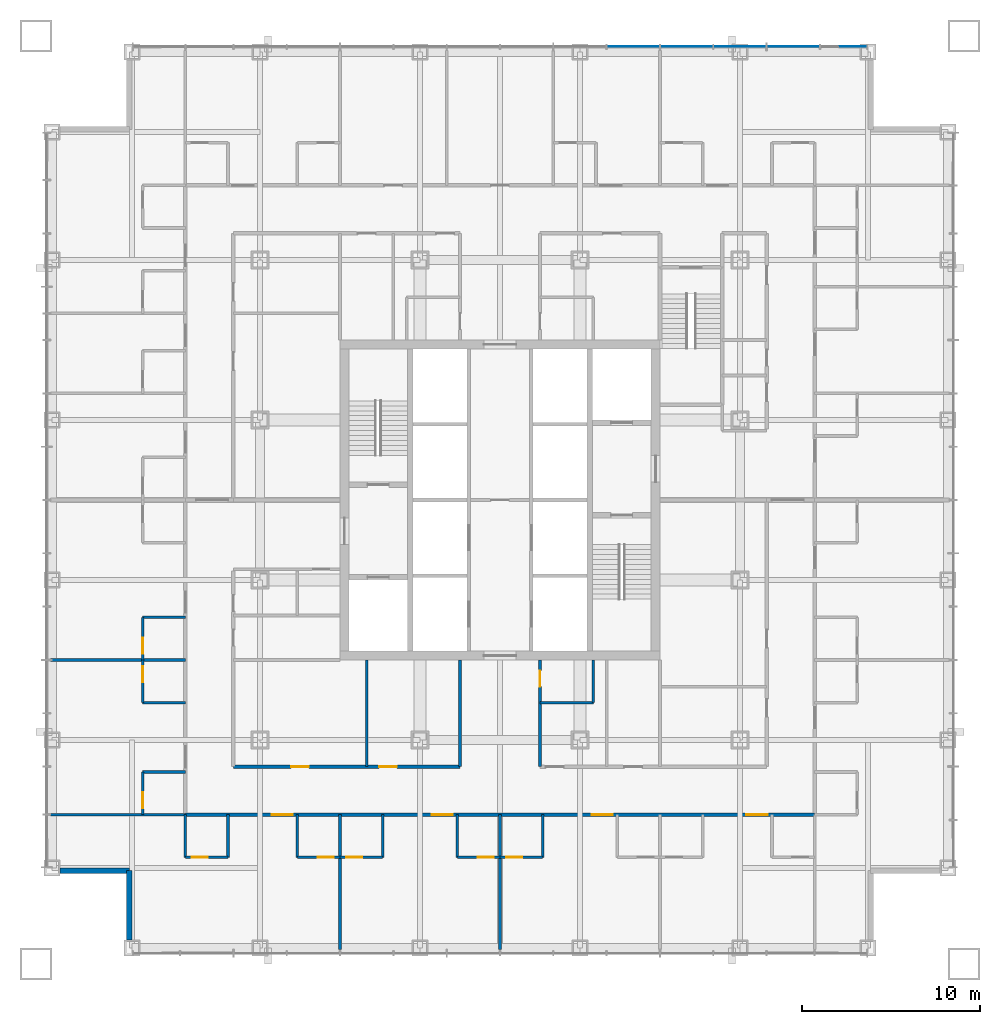
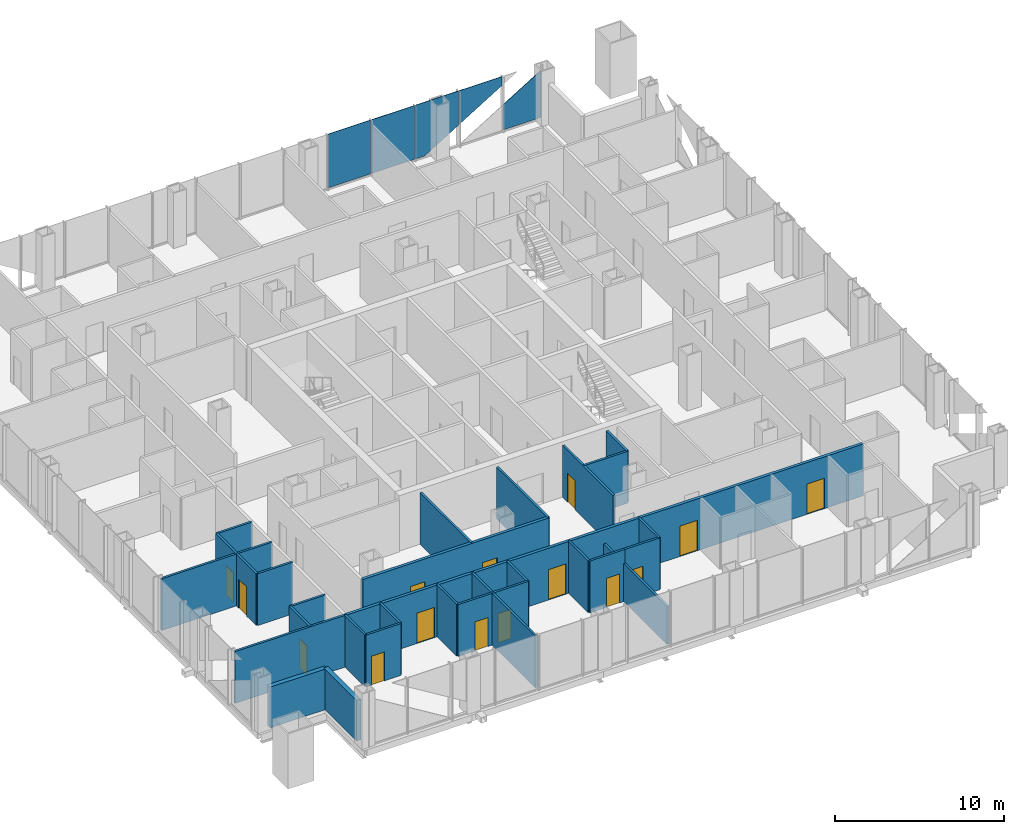
# One storey, part 7 of 13: 30 walls, 15 doors, 5 plates, 15 openings, 1 element without a shape of its own.
"""IFC4 building model written with IfcOpenShell, lengths in metres."""

from ifc_helpers import new_model, si_unit, direction, frame, frame_2d, origin, origin_2d, place, context, subcontext, project, spatial, polyline, rectangle, outline, extrude, material, layer, layer_set, type_object, element, fill, aggregate, save


model = new_model("IFC4")

# Units and contexts
model_context = context("Model", 3, precision=1e-05, world=origin(), true_north=direction((0.0, 1.0)))
body_context = subcontext(model_context, "Body", "Model", "MODEL_VIEW")
ifc_project = project(units=[si_unit("LENGTHUNIT", "METRE"), si_unit("AREAUNIT", "SQUARE_METRE"), si_unit("VOLUMEUNIT", "CUBIC_METRE"), si_unit("PLANEANGLEUNIT", "RADIAN"), si_unit("MASSUNIT", "GRAM", prefix="KILO")], contexts=[model_context])

# Site, building, storey
site_placement = place(None, origin())
site = spatial("IfcSite", under=ifc_project, at=site_placement, CompositionType="ELEMENT")
building_placement = place(site_placement, origin())
building = spatial("IfcBuilding", under=site, at=building_placement, Name="Malebo Sky Hospital", CompositionType="ELEMENT")
storey_placement = place(building_placement, frame((0.0, 0.0, 87.0)))
storey = spatial("IfcBuildingStorey", under=building, at=storey_placement, Name="L20", CompositionType="ELEMENT", Elevation=87.0)

# Curtain wall, plates
ifc_material_1 = material(Name="Anodised aluminium, natural silver", Category="aluminium")
ifc_layer_1 = layer(ifc_material_1, 0.25)
ifc_layer_set_1 = layer_set([ifc_layer_1], Name="WARD CURTAIN WALL NORTH AND SOUTH")
curtain_wall_type = type_object("IfcCurtainWallType", Name="WARD CURTAIN WALL NORTH AND SOUTH", PredefinedType="NOTDEFINED", material=ifc_layer_set_1)
curtain_wall_placement = place(storey_placement, origin())
curtain_wall = element("IfcCurtainWall", 1, at=curtain_wall_placement, inside=storey, type_object=curtain_wall_type, Name="NS curtain wall N", PredefinedType="NOTDEFINED")
ifc_material_2 = material(Name="Clear low-iron double glazing", Category="glass")
ifc_layer_2 = layer(ifc_material_2, 0.031982421875)
ifc_layer_set_2 = layer_set([ifc_layer_2], Name="VISION PANEL CLEAR 32")
plate_type = type_object("IfcPlateType", Name="VISION PANEL CLEAR 32", PredefinedType="CURTAIN_PANEL", material=ifc_layer_set_2)
plate_1_placement = place(storey_placement, frame((67.5, 87.5, 0.10009765625), z_axis=(0.0, 0.0, 1.0), x_axis=(1.0, 0.0, 0.0)))
plate_1 = element("IfcPlate", 2, at=plate_1_placement, type_object=plate_type, Name="Panel 10", PredefinedType="CURTAIN_PANEL", context=body_context, shape_type="SweptSolid", body=[
    extrude(rectangle(XDim=2.925048828125, YDim=0.031982421875, at=origin_2d()), origin(), (0.0, 0.0, 1.0), 3.889892578125),
])
plate_2_placement = place(storey_placement, frame((70.5, 87.5, 0.10009765625), z_axis=(0.0, 0.0, 1.0), x_axis=(1.0, 0.0, 0.0)))
plate_2 = element("IfcPlate", 3, at=plate_2_placement, type_object=plate_type, Name="Panel 11", PredefinedType="CURTAIN_PANEL", context=body_context, shape_type="SweptSolid", body=[
    extrude(rectangle(XDim=2.925048828125, YDim=0.031982421875, at=origin_2d()), origin(), (0.0, 0.0, 1.0), 3.889892578125),
])
plate_3_placement = place(storey_placement, frame((73.5, 87.5, 0.10009765625), z_axis=(0.0, 0.0, 1.0), x_axis=(1.0, 0.0, 0.0)))
plate_3 = element("IfcPlate", 4, at=plate_3_placement, type_object=plate_type, Name="Panel 12", PredefinedType="CURTAIN_PANEL", context=body_context, shape_type="SweptSolid", body=[
    extrude(outline(polyline([(-1.46240234375, 0.0), (-0.831298828125, 0.0), (1.46240234375, 1.40625), (1.46240234375, 3.889892578125), (-1.46240234375, 3.889892578125), (-1.46240234375, 0.0)])), frame((0.0, 0.01611328125, 0.0), z_axis=(0.0, -1.0, 0.0), x_axis=(1.0, 0.0, 0.0)), (0.0, 0.0, 1.0), 0.031982421875),
])
plate_4_placement = place(storey_placement, frame((76.5, 87.5, 1.552001953125), z_axis=(0.0, 0.0, 1.0), x_axis=(1.0, 0.0, 0.0)))
plate_4 = element("IfcPlate", 5, at=plate_4_placement, type_object=plate_type, Name="Panel 13", PredefinedType="CURTAIN_PANEL", context=body_context, shape_type="SweptSolid", body=[
    extrude(outline(polyline([(-1.46240234375, 0.0), (1.46240234375, 1.793212890625), (1.46240234375, 2.43798828125), (-1.46240234375, 2.43798828125), (-1.46240234375, 0.0)])), frame((0.0, 0.01611328125, 0.0), z_axis=(0.0, -1.0, 0.0), x_axis=(1.0, 0.0, 0.0)), (0.0, 0.0, 1.0), 0.031982421875),
])
plate_5_placement = place(storey_placement, frame((79.331298828125, 87.5, 0.099853515625), z_axis=(0.0, 0.0, 1.0), x_axis=(1.0, 0.0, 0.0)))
plate_5 = element("IfcPlate", 6, at=plate_5_placement, type_object=plate_type, Name="Panel 14", PredefinedType="CURTAIN_PANEL", context=body_context, shape_type="SweptSolid", body=[
    extrude(outline(polyline([(-1.293701171875, 0.0), (1.293701171875, 0.0), (1.293701171875, 3.41015625), (-1.293701171875, 1.823974609375), (-1.293701171875, 0.0)])), frame((0.0, 0.01611328125, 0.0), z_axis=(0.0, -1.0, 0.0), x_axis=(1.0, 0.0, 0.0)), (0.0, 0.0, 1.0), 0.031982421875),
])
aggregate(curtain_wall, [plate_1, plate_2, plate_3, plate_4, plate_5])

# Wall, openings, doors
ifc_material_3 = material(Name="Gypsum board on steel studs", Category="steel")
ifc_layer_3 = layer(ifc_material_3, 0.199951171875)
ifc_layer_set_3 = layer_set([ifc_layer_3], Name="CORRIDOR WALL 200")
wall_type_1 = type_object("IfcWallType", Name="CORRIDOR WALL 200", PredefinedType="PARTITIONING", material=ifc_layer_set_3)
wall_1_placement = place(storey_placement, frame((77.699951171875, 44.300048828125, 0.0), z_axis=(0.0, 0.0, 1.0), x_axis=(-1.0, 0.0, 0.0)))
wall_1 = element("IfcWall", 7, at=wall_1_placement, inside=storey, type_object=wall_type_1, Name="Corridor Wall 200 SCO", PredefinedType="PARTITIONING", context=body_context, shape_type="SweptSolid", body=[
    extrude(rectangle(XDim=35.39990234375, YDim=0.199951171875, at=frame_2d((17.699951171875, 0.0))), origin(), (0.0, 0.0, 1.0), 3.75),
])
opening_1_placement = place(wall_1_placement, frame((2.64990234375, 0.0, 0.0)))
opening_1 = element("IfcOpeningElement", 8, at=opening_1_placement, cuts=wall_1, Name="Opening D01", PredefinedType="OPENING", context=body_context, shape_type="SweptSolid", body=[
    extrude(rectangle(XDim=1.199951171875, YDim=2.199951171875, at=frame_2d((0.60009765625, 1.10009765625))), frame((0.0, 0.10986328125, 0.0), z_axis=(0.0, -1.0, 0.0), x_axis=(1.0, 0.0, 0.0)), (0.0, 0.0, 1.0), 0.219970703125),
])
opening_2_placement = place(wall_1_placement, frame((11.35009765625, 0.0, 0.0)))
opening_2 = element("IfcOpeningElement", 9, at=opening_2_placement, cuts=wall_1, Name="Opening D01", PredefinedType="OPENING", context=body_context, shape_type="SweptSolid", body=[
    extrude(rectangle(XDim=1.199951171875, YDim=2.199951171875, at=frame_2d((0.60009765625, 1.10009765625))), frame((0.0, 0.10986328125, 0.0), z_axis=(0.0, -1.0, 0.0), x_axis=(1.0, 0.0, 0.0)), (0.0, 0.0, 1.0), 0.219970703125),
])
opening_3_placement = place(wall_1_placement, frame((20.35009765625, 0.0, 0.0)))
opening_3 = element("IfcOpeningElement", 10, at=opening_3_placement, cuts=wall_1, Name="Opening D01", PredefinedType="OPENING", context=body_context, shape_type="SweptSolid", body=[
    extrude(rectangle(XDim=1.199951171875, YDim=2.199951171875, at=frame_2d((0.60009765625, 1.10009765625))), frame((0.0, 0.10986328125, 0.0), z_axis=(0.0, -1.0, 0.0), x_axis=(1.0, 0.0, 0.0)), (0.0, 0.0, 1.0), 0.219970703125),
])
opening_4_placement = place(wall_1_placement, frame((29.35009765625, 0.0, 0.0)))
opening_4 = element("IfcOpeningElement", 11, at=opening_4_placement, cuts=wall_1, Name="Opening D01", PredefinedType="OPENING", context=body_context, shape_type="SweptSolid", body=[
    extrude(rectangle(XDim=1.199951171875, YDim=2.199951171875, at=frame_2d((0.60009765625, 1.10009765625))), frame((0.0, 0.10986328125, 0.0), z_axis=(0.0, -1.0, 0.0), x_axis=(1.0, 0.0, 0.0)), (0.0, 0.0, 1.0), 0.219970703125),
])
ifc_material_4 = material(Name="Hardwood-faced door leaf in steel frame", Category="steel")
door_type_1 = type_object("IfcDoorType", Name="BED DOOR 1200", OperationType="SINGLE_SWING_LEFT", PredefinedType="DOOR", material=ifc_material_4)
door_1_placement = place(opening_1_placement, origin())
door_1 = element("IfcDoor", 12, at=door_1_placement, inside=storey, type_object=door_type_1, Name="Four-bed bay door", OperationType="SINGLE_SWING_LEFT", OverallHeight=2.199951171875, OverallWidth=1.199951171875, PredefinedType="DOOR", context=body_context, shape_type="SweptSolid", body=[
    extrude(rectangle(XDim=1.199951171875, YDim=2.199951171875, at=frame_2d((0.60009765625, 1.10009765625))), frame((0.0, 0.02490234375, 0.0), z_axis=(0.0, -1.0, 0.0), x_axis=(1.0, 0.0, 0.0)), (0.0, 0.0, 1.0), 0.050048828125),
])
fill(opening_1, door_1)
door_2_placement = place(opening_2_placement, origin())
door_2 = element("IfcDoor", 13, at=door_2_placement, inside=storey, type_object=door_type_1, Name="Four-bed bay door", OperationType="SINGLE_SWING_LEFT", OverallHeight=2.199951171875, OverallWidth=1.199951171875, PredefinedType="DOOR", context=body_context, shape_type="SweptSolid", body=[
    extrude(rectangle(XDim=1.199951171875, YDim=2.199951171875, at=frame_2d((0.60009765625, 1.10009765625))), frame((0.0, 0.02490234375, 0.0), z_axis=(0.0, -1.0, 0.0), x_axis=(1.0, 0.0, 0.0)), (0.0, 0.0, 1.0), 0.050048828125),
])
fill(opening_2, door_2)
door_3_placement = place(opening_3_placement, origin())
door_3 = element("IfcDoor", 14, at=door_3_placement, inside=storey, type_object=door_type_1, Name="Four-bed bay door", OperationType="SINGLE_SWING_LEFT", OverallHeight=2.199951171875, OverallWidth=1.199951171875, PredefinedType="DOOR", context=body_context, shape_type="SweptSolid", body=[
    extrude(rectangle(XDim=1.199951171875, YDim=2.199951171875, at=frame_2d((0.60009765625, 1.10009765625))), frame((0.0, 0.02490234375, 0.0), z_axis=(0.0, -1.0, 0.0), x_axis=(1.0, 0.0, 0.0)), (0.0, 0.0, 1.0), 0.050048828125),
])
fill(opening_3, door_3)
door_4_placement = place(opening_4_placement, origin())
door_4 = element("IfcDoor", 15, at=door_4_placement, inside=storey, type_object=door_type_1, Name="Four-bed bay door", OperationType="SINGLE_SWING_LEFT", OverallHeight=2.199951171875, OverallWidth=1.199951171875, PredefinedType="DOOR", context=body_context, shape_type="SweptSolid", body=[
    extrude(rectangle(XDim=1.199951171875, YDim=2.199951171875, at=frame_2d((0.60009765625, 1.10009765625))), frame((0.0, 0.02490234375, 0.0), z_axis=(0.0, -1.0, 0.0), x_axis=(1.0, 0.0, 0.0)), (0.0, 0.0, 1.0), 0.050048828125),
])
fill(opening_4, door_4)

wall_2_placement = place(storey_placement, frame((57.75, 47.0, 0.0), z_axis=(0.0, 0.0, 1.0), x_axis=(-1.0, 0.0, 0.0)))
wall_2 = element("IfcWall", 16, at=wall_2_placement, inside=storey, type_object=wall_type_1, Name="Corridor Wall 200 SCI2", PredefinedType="PARTITIONING", context=body_context, shape_type="SweptSolid", body=[
    extrude(rectangle(XDim=12.75, YDim=0.199951171875, at=frame_2d((6.375, 0.0))), origin(), (0.0, 0.0, 1.0), 3.75),
])
opening_5_placement = place(wall_2_placement, frame((3.550048828125, 0.0, 0.0)))
opening_5 = element("IfcOpeningElement", 17, at=opening_5_placement, cuts=wall_2, Name="Opening D03", PredefinedType="OPENING", context=body_context, shape_type="SweptSolid", body=[
    extrude(rectangle(XDim=1.0, YDim=2.10009765625, at=frame_2d((0.5, 1.050048828125))), frame((0.0, 0.10986328125, 0.0), z_axis=(0.0, -1.0, 0.0), x_axis=(1.0, 0.0, 0.0)), (0.0, 0.0, 1.0), 0.219970703125),
])
opening_6_placement = place(wall_2_placement, frame((8.5, 0.0, 0.0)))
opening_6 = element("IfcOpeningElement", 18, at=opening_6_placement, cuts=wall_2, Name="Opening D03", PredefinedType="OPENING", context=body_context, shape_type="SweptSolid", body=[
    extrude(rectangle(XDim=1.0, YDim=2.10009765625, at=frame_2d((0.5, 1.050048828125))), frame((0.0, 0.10986328125, 0.0), z_axis=(0.0, -1.0, 0.0), x_axis=(1.0, 0.0, 0.0)), (0.0, 0.0, 1.0), 0.219970703125),
])
door_type_2 = type_object("IfcDoorType", Name="ROOM DOOR 1000", OperationType="SINGLE_SWING_LEFT", PredefinedType="DOOR", material=ifc_material_4)
door_5_placement = place(opening_5_placement, origin())
door_5 = element("IfcDoor", 19, at=door_5_placement, inside=storey, type_object=door_type_2, Name="Hoist store door", OperationType="SINGLE_SWING_RIGHT", OverallHeight=2.10009765625, OverallWidth=1.0, PredefinedType="DOOR", context=body_context, shape_type="SweptSolid", body=[
    extrude(rectangle(XDim=1.0, YDim=2.10009765625, at=frame_2d((0.5, 1.050048828125))), frame((0.0, 0.02490234375, 0.0), z_axis=(0.0, -1.0, 0.0), x_axis=(1.0, 0.0, 0.0)), (0.0, 0.0, 1.0), 0.050048828125),
])
fill(opening_5, door_5)
door_6_placement = place(opening_6_placement, origin())
door_6 = element("IfcDoor", 20, at=door_6_placement, inside=storey, type_object=door_type_2, Name="Relatives' kitchen door", OperationType="SINGLE_SWING_RIGHT", OverallHeight=2.10009765625, OverallWidth=1.0, PredefinedType="DOOR", context=body_context, shape_type="SweptSolid", body=[
    extrude(rectangle(XDim=1.0, YDim=2.10009765625, at=frame_2d((0.5, 1.050048828125))), frame((0.0, 0.02490234375, 0.0), z_axis=(0.0, -1.0, 0.0), x_axis=(1.0, 0.0, 0.0)), (0.0, 0.0, 1.0), 0.050048828125),
])
fill(opening_6, door_6)

# Walls
ifc_material_5 = material(Name="Anodised aluminium rainscreen on steel framing", Category="steel")
ifc_layer_4 = layer(ifc_material_5, 0.300048828125)
ifc_layer_set_4 = layer_set([ifc_layer_4], Name="NOTCH RAINSCREEN WALL 300")
wall_type_2 = type_object("IfcWallType", Name="NOTCH RAINSCREEN WALL 300", PredefinedType="ELEMENTEDWALL", material=ifc_layer_set_4)
for number, where, z_axis, x_axis, name in (
    (21, (39.14990234375, 37.25, 0.0), (0.0, 0.0, 1.0), (0.0, 1.0, 0.0), "Notch rainscreen wall S1 L20"),
    (22, (39.14990234375, 41.14990234375, 0.0), (0.0, 0.0, 1.0), (-1.0, 0.0, 0.0), "Notch rainscreen wall S2 L20"),
):
    element("IfcWall", number, at=place(storey_placement, frame(where, z_axis=z_axis, x_axis=x_axis)), inside=storey, type_object=wall_type_2, Name=name, PredefinedType="ELEMENTEDWALL", context=body_context, shape_type="SweptSolid", body=[
        extrude(rectangle(XDim=3.89990234375, YDim=0.300048828125, at=frame_2d((1.949951171875, 0.0))), origin(), (0.0, 0.0, 1.0), 2.949951171875),
    ])
ifc_layer_5 = layer(ifc_material_3, 0.14990234375)
ifc_layer_set_5 = layer_set([ifc_layer_5], Name="PARTITION 150")
wall_type_3 = type_object("IfcWallType", Name="PARTITION 150", PredefinedType="PARTITIONING", material=ifc_layer_set_5)
for number, where, z_axis, x_axis, name in (
    (23, (42.300048828125, 53.0, 0.0), (0.0, 0.0, 1.0), (-1.0, 0.0, 0.0), "Partition 150 WP-9.0"),
    (24, (42.300048828125, 44.300048828125, 0.0), (0.0, 0.0, 1.0), (-1.0, 0.0, 0.0), "Partition 150 WP0"),
):
    element("IfcWall", number, at=place(storey_placement, frame(where, z_axis=z_axis, x_axis=x_axis)), inside=storey, type_object=wall_type_3, Name=name, PredefinedType="PARTITIONING", context=body_context, shape_type="SweptSolid", body=[
        extrude(rectangle(XDim=7.574951171875, YDim=0.14990234375, at=frame_2d((3.78759765625, 0.0))), origin(), (0.0, 0.0, 1.0), 3.75),
    ])

# Wall, opening, door
wall_3_placement = place(storey_placement, frame((39.89990234375, 44.300048828125, 0.0), z_axis=(0.0, 0.0, 1.0), x_axis=(0.0, 1.0, 0.0)))
wall_3 = element("IfcWall", 25, at=wall_3_placement, inside=storey, type_object=wall_type_3, Name="Partition 150 WE0F", PredefinedType="PARTITIONING", context=body_context, shape_type="SweptSolid", body=[
    extrude(rectangle(XDim=2.39990234375, YDim=0.14990234375, at=frame_2d((1.199951171875, 0.0))), origin(), (0.0, 0.0, 1.0), 3.75),
])
opening_7_placement = place(wall_3_placement, frame((0.35009765625, 0.0, 0.0)))
opening_7 = element("IfcOpeningElement", 26, at=opening_7_placement, cuts=wall_3, Name="Opening D02", PredefinedType="OPENING", context=body_context, shape_type="SweptSolid", body=[
    extrude(rectangle(XDim=0.89990234375, YDim=2.10009765625, at=frame_2d((0.449951171875, 1.050048828125))), frame((0.0, 0.0849609375, 0.0), z_axis=(0.0, -1.0, 0.0), x_axis=(1.0, 0.0, 0.0)), (0.0, 0.0, 1.0), 0.169921875),
])
door_type_3 = type_object("IfcDoorType", Name="EN-SUITE DOOR 900", OperationType="SINGLE_SWING_LEFT", PredefinedType="DOOR", material=ifc_material_4)
door_7_placement = place(opening_7_placement, origin())
door_7 = element("IfcDoor", 27, at=door_7_placement, inside=storey, type_object=door_type_3, Name="En-suite door", OperationType="SINGLE_SWING_LEFT", OverallHeight=2.10009765625, OverallWidth=0.89990234375, PredefinedType="DOOR", context=body_context, shape_type="SweptSolid", body=[
    extrude(rectangle(XDim=0.89990234375, YDim=2.10009765625, at=frame_2d((0.449951171875, 1.050048828125))), frame((0.0, 0.02490234375, 0.0), z_axis=(0.0, -1.0, 0.0), x_axis=(1.0, 0.0, 0.0)), (0.0, 0.0, 1.0), 0.050048828125),
])
fill(opening_7, door_7)

# Wall
wall_4_placement = place(storey_placement, frame((42.300048828125, 46.699951171875, 0.0), z_axis=(0.0, 0.0, 1.0), x_axis=(-1.0, 0.0, 0.0)))
element("IfcWall", 28, at=wall_4_placement, inside=storey, type_object=wall_type_3, Name="Partition 150 WE0S", PredefinedType="PARTITIONING", context=body_context, shape_type="SweptSolid", body=[
    extrude(rectangle(XDim=2.400146484375, YDim=0.14990234375, at=frame_2d((1.2001953125, 0.0))), origin(), (0.0, 0.0, 1.0), 3.75),
])

# Wall, opening, door
wall_5_placement = place(storey_placement, frame((39.89990234375, 50.60009765625, 0.0), z_axis=(0.0, 0.0, 1.0), x_axis=(0.0, 1.0, 0.0)))
wall_5 = element("IfcWall", 29, at=wall_5_placement, inside=storey, type_object=wall_type_3, Name="Partition 150 WG0F", PredefinedType="PARTITIONING", context=body_context, shape_type="SweptSolid", body=[
    extrude(rectangle(XDim=2.39990234375, YDim=0.14990234375, at=frame_2d((1.199951171875, 0.0))), origin(), (0.0, 0.0, 1.0), 3.75),
])
opening_8_placement = place(wall_5_placement, frame((1.14990234375, 0.0, 0.0)))
opening_8 = element("IfcOpeningElement", 30, at=opening_8_placement, cuts=wall_5, Name="Opening D02", PredefinedType="OPENING", context=body_context, shape_type="SweptSolid", body=[
    extrude(rectangle(XDim=0.89990234375, YDim=2.10009765625, at=frame_2d((0.449951171875, 1.050048828125))), frame((0.0, 0.0849609375, 0.0), z_axis=(0.0, -1.0, 0.0), x_axis=(1.0, 0.0, 0.0)), (0.0, 0.0, 1.0), 0.169921875),
])
door_8_placement = place(opening_8_placement, origin())
door_8 = element("IfcDoor", 31, at=door_8_placement, inside=storey, type_object=door_type_3, Name="En-suite door", OperationType="SINGLE_SWING_RIGHT", OverallHeight=2.10009765625, OverallWidth=0.89990234375, PredefinedType="DOOR", context=body_context, shape_type="SweptSolid", body=[
    extrude(rectangle(XDim=0.89990234375, YDim=2.10009765625, at=frame_2d((0.449951171875, 1.050048828125))), frame((0.0, 0.02490234375, 0.0), z_axis=(0.0, -1.0, 0.0), x_axis=(1.0, 0.0, 0.0)), (0.0, 0.0, 1.0), 0.050048828125),
])
fill(opening_8, door_8)

# Wall
wall_6_placement = place(storey_placement, frame((42.300048828125, 50.60009765625, 0.0), z_axis=(0.0, 0.0, 1.0), x_axis=(-1.0, 0.0, 0.0)))
element("IfcWall", 32, at=wall_6_placement, inside=storey, type_object=wall_type_3, Name="Partition 150 WG0S", PredefinedType="PARTITIONING", context=body_context, shape_type="SweptSolid", body=[
    extrude(rectangle(XDim=2.400146484375, YDim=0.14990234375, at=frame_2d((1.2001953125, 0.0))), origin(), (0.0, 0.0, 1.0), 3.75),
])

# Wall, opening, door
wall_7_placement = place(storey_placement, frame((39.89990234375, 53.0, 0.0), z_axis=(0.0, 0.0, 1.0), x_axis=(0.0, 1.0, 0.0)))
wall_7 = element("IfcWall", 33, at=wall_7_placement, inside=storey, type_object=wall_type_3, Name="Partition 150 WE1F", PredefinedType="PARTITIONING", context=body_context, shape_type="SweptSolid", body=[
    extrude(rectangle(XDim=2.39990234375, YDim=0.14990234375, at=frame_2d((1.199951171875, 0.0))), origin(), (0.0, 0.0, 1.0), 3.75),
])
opening_9_placement = place(wall_7_placement, frame((0.35009765625, 0.0, 0.0)))
opening_9 = element("IfcOpeningElement", 34, at=opening_9_placement, cuts=wall_7, Name="Opening D02", PredefinedType="OPENING", context=body_context, shape_type="SweptSolid", body=[
    extrude(rectangle(XDim=0.89990234375, YDim=2.10009765625, at=frame_2d((0.449951171875, 1.050048828125))), frame((0.0, 0.0849609375, 0.0), z_axis=(0.0, -1.0, 0.0), x_axis=(1.0, 0.0, 0.0)), (0.0, 0.0, 1.0), 0.169921875),
])
door_9_placement = place(opening_9_placement, origin())
door_9 = element("IfcDoor", 35, at=door_9_placement, inside=storey, type_object=door_type_3, Name="En-suite door", OperationType="SINGLE_SWING_LEFT", OverallHeight=2.10009765625, OverallWidth=0.89990234375, PredefinedType="DOOR", context=body_context, shape_type="SweptSolid", body=[
    extrude(rectangle(XDim=0.89990234375, YDim=2.10009765625, at=frame_2d((0.449951171875, 1.050048828125))), frame((0.0, 0.02490234375, 0.0), z_axis=(0.0, -1.0, 0.0), x_axis=(1.0, 0.0, 0.0)), (0.0, 0.0, 1.0), 0.050048828125),
])
fill(opening_9, door_9)

# Walls
wall_8_placement = place(storey_placement, frame((42.300048828125, 55.39990234375, 0.0), z_axis=(0.0, 0.0, 1.0), x_axis=(-1.0, 0.0, 0.0)))
element("IfcWall", 36, at=wall_8_placement, inside=storey, type_object=wall_type_3, Name="Partition 150 WE1S", PredefinedType="PARTITIONING", context=body_context, shape_type="SweptSolid", body=[
    extrude(rectangle(XDim=2.400146484375, YDim=0.14990234375, at=frame_2d((1.2001953125, 0.0))), origin(), (0.0, 0.0, 1.0), 3.75),
])
wall_9_placement = place(storey_placement, frame((60.0, 44.300048828125, 0.0), z_axis=(0.0, 0.0, 1.0), x_axis=(0.0, -1.0, 0.0)))
element("IfcWall", 37, at=wall_9_placement, inside=storey, type_object=wall_type_3, Name="Partition 150 SP+0.0", PredefinedType="PARTITIONING", context=body_context, shape_type="SweptSolid", body=[
    extrude(rectangle(XDim=7.574951171875, YDim=0.14990234375, at=frame_2d((3.78759765625, 0.0))), origin(), (0.0, 0.0, 1.0), 2.75),
])
wall_10_placement = place(storey_placement, frame((51.0, 44.300048828125, 0.0), z_axis=(0.0, 0.0, 1.0), x_axis=(0.0, -1.0, 0.0)))
element("IfcWall", 38, at=wall_10_placement, inside=storey, type_object=wall_type_3, Name="Partition 150 SP+9.0", PredefinedType="PARTITIONING", context=body_context, shape_type="SweptSolid", body=[
    extrude(rectangle(XDim=7.574951171875, YDim=0.14990234375, at=frame_2d((3.78759765625, 0.0))), origin(), (0.0, 0.0, 1.0), 3.75),
])

# Wall, opening, door
wall_11_placement = place(storey_placement, frame((62.39990234375, 41.89990234375, 0.0), z_axis=(0.0, 0.0, 1.0), x_axis=(-1.0, 0.0, 0.0)))
wall_11 = element("IfcWall", 39, at=wall_11_placement, inside=storey, type_object=wall_type_3, Name="Partition 150 SG1F", PredefinedType="PARTITIONING", context=body_context, shape_type="SweptSolid", body=[
    extrude(rectangle(XDim=2.39990234375, YDim=0.14990234375, at=frame_2d((1.199951171875, 0.0))), origin(), (0.0, 0.0, 1.0), 3.75),
])
opening_10_placement = place(wall_11_placement, frame((1.14990234375, 0.0, 0.0)))
opening_10 = element("IfcOpeningElement", 40, at=opening_10_placement, cuts=wall_11, Name="Opening D02", PredefinedType="OPENING", context=body_context, shape_type="SweptSolid", body=[
    extrude(rectangle(XDim=0.89990234375, YDim=2.10009765625, at=frame_2d((0.449951171875, 1.050048828125))), frame((0.0, 0.0849609375, 0.0), z_axis=(0.0, -1.0, 0.0), x_axis=(1.0, 0.0, 0.0)), (0.0, 0.0, 1.0), 0.169921875),
])
door_10_placement = place(opening_10_placement, origin())
door_10 = element("IfcDoor", 41, at=door_10_placement, inside=storey, type_object=door_type_3, Name="En-suite door", OperationType="SINGLE_SWING_RIGHT", OverallHeight=2.10009765625, OverallWidth=0.89990234375, PredefinedType="DOOR", context=body_context, shape_type="SweptSolid", body=[
    extrude(rectangle(XDim=0.89990234375, YDim=2.10009765625, at=frame_2d((0.449951171875, 1.050048828125))), frame((0.0, 0.02490234375, 0.0), z_axis=(0.0, -1.0, 0.0), x_axis=(1.0, 0.0, 0.0)), (0.0, 0.0, 1.0), 0.050048828125),
])
fill(opening_10, door_10)

# Wall
wall_12_placement = place(storey_placement, frame((62.39990234375, 44.300048828125, 0.0), z_axis=(0.0, 0.0, 1.0), x_axis=(0.0, -1.0, 0.0)))
element("IfcWall", 42, at=wall_12_placement, inside=storey, type_object=wall_type_3, Name="Partition 150 SG1S", PredefinedType="PARTITIONING", context=body_context, shape_type="SweptSolid", body=[
    extrude(rectangle(XDim=2.400146484375, YDim=0.14990234375, at=frame_2d((1.2001953125, 0.0))), origin(), (0.0, 0.0, 1.0), 3.75),
])

# Wall, opening, door
wall_13_placement = place(storey_placement, frame((60.0, 41.89990234375, 0.0), z_axis=(0.0, 0.0, 1.0), x_axis=(-1.0, 0.0, 0.0)))
wall_13 = element("IfcWall", 43, at=wall_13_placement, inside=storey, type_object=wall_type_3, Name="Partition 150 SE2F", PredefinedType="PARTITIONING", context=body_context, shape_type="SweptSolid", body=[
    extrude(rectangle(XDim=2.39990234375, YDim=0.14990234375, at=frame_2d((1.199951171875, 0.0))), origin(), (0.0, 0.0, 1.0), 3.75),
])
opening_11_placement = place(wall_13_placement, frame((0.35009765625, 0.0, 0.0)))
opening_11 = element("IfcOpeningElement", 44, at=opening_11_placement, cuts=wall_13, Name="Opening D02", PredefinedType="OPENING", context=body_context, shape_type="SweptSolid", body=[
    extrude(rectangle(XDim=0.89990234375, YDim=2.10009765625, at=frame_2d((0.449951171875, 1.050048828125))), frame((0.0, 0.0849609375, 0.0), z_axis=(0.0, -1.0, 0.0), x_axis=(1.0, 0.0, 0.0)), (0.0, 0.0, 1.0), 0.169921875),
])
door_11_placement = place(opening_11_placement, origin())
door_11 = element("IfcDoor", 45, at=door_11_placement, inside=storey, type_object=door_type_3, Name="En-suite door", OperationType="SINGLE_SWING_LEFT", OverallHeight=2.10009765625, OverallWidth=0.89990234375, PredefinedType="DOOR", context=body_context, shape_type="SweptSolid", body=[
    extrude(rectangle(XDim=0.89990234375, YDim=2.10009765625, at=frame_2d((0.449951171875, 1.050048828125))), frame((0.0, 0.02490234375, 0.0), z_axis=(0.0, -1.0, 0.0), x_axis=(1.0, 0.0, 0.0)), (0.0, 0.0, 1.0), 0.050048828125),
])
fill(opening_11, door_11)

# Wall
wall_14_placement = place(storey_placement, frame((57.60009765625, 44.300048828125, 0.0), z_axis=(0.0, 0.0, 1.0), x_axis=(0.0, -1.0, 0.0)))
element("IfcWall", 46, at=wall_14_placement, inside=storey, type_object=wall_type_3, Name="Partition 150 SE2S", PredefinedType="PARTITIONING", context=body_context, shape_type="SweptSolid", body=[
    extrude(rectangle(XDim=2.400146484375, YDim=0.14990234375, at=frame_2d((1.2001953125, 0.0))), origin(), (0.0, 0.0, 1.0), 3.75),
])

# Wall, opening, door
wall_15_placement = place(storey_placement, frame((53.39990234375, 41.89990234375, 0.0), z_axis=(0.0, 0.0, 1.0), x_axis=(-1.0, 0.0, 0.0)))
wall_15 = element("IfcWall", 47, at=wall_15_placement, inside=storey, type_object=wall_type_3, Name="Partition 150 SG2F", PredefinedType="PARTITIONING", context=body_context, shape_type="SweptSolid", body=[
    extrude(rectangle(XDim=2.39990234375, YDim=0.14990234375, at=frame_2d((1.199951171875, 0.0))), origin(), (0.0, 0.0, 1.0), 3.75),
])
opening_12_placement = place(wall_15_placement, frame((1.14990234375, 0.0, 0.0)))
opening_12 = element("IfcOpeningElement", 48, at=opening_12_placement, cuts=wall_15, Name="Opening D02", PredefinedType="OPENING", context=body_context, shape_type="SweptSolid", body=[
    extrude(rectangle(XDim=0.89990234375, YDim=2.10009765625, at=frame_2d((0.449951171875, 1.050048828125))), frame((0.0, 0.0849609375, 0.0), z_axis=(0.0, -1.0, 0.0), x_axis=(1.0, 0.0, 0.0)), (0.0, 0.0, 1.0), 0.169921875),
])
door_12_placement = place(opening_12_placement, origin())
door_12 = element("IfcDoor", 49, at=door_12_placement, inside=storey, type_object=door_type_3, Name="En-suite door", OperationType="SINGLE_SWING_RIGHT", OverallHeight=2.10009765625, OverallWidth=0.89990234375, PredefinedType="DOOR", context=body_context, shape_type="SweptSolid", body=[
    extrude(rectangle(XDim=0.89990234375, YDim=2.10009765625, at=frame_2d((0.449951171875, 1.050048828125))), frame((0.0, 0.02490234375, 0.0), z_axis=(0.0, -1.0, 0.0), x_axis=(1.0, 0.0, 0.0)), (0.0, 0.0, 1.0), 0.050048828125),
])
fill(opening_12, door_12)

# Wall
wall_16_placement = place(storey_placement, frame((53.39990234375, 44.300048828125, 0.0), z_axis=(0.0, 0.0, 1.0), x_axis=(0.0, -1.0, 0.0)))
element("IfcWall", 50, at=wall_16_placement, inside=storey, type_object=wall_type_3, Name="Partition 150 SG2S", PredefinedType="PARTITIONING", context=body_context, shape_type="SweptSolid", body=[
    extrude(rectangle(XDim=2.400146484375, YDim=0.14990234375, at=frame_2d((1.2001953125, 0.0))), origin(), (0.0, 0.0, 1.0), 3.75),
])

# Wall, opening, door
wall_17_placement = place(storey_placement, frame((51.0, 41.89990234375, 0.0), z_axis=(0.0, 0.0, 1.0), x_axis=(-1.0, 0.0, 0.0)))
wall_17 = element("IfcWall", 51, at=wall_17_placement, inside=storey, type_object=wall_type_3, Name="Partition 150 SE3F", PredefinedType="PARTITIONING", context=body_context, shape_type="SweptSolid", body=[
    extrude(rectangle(XDim=2.39990234375, YDim=0.14990234375, at=frame_2d((1.199951171875, 0.0))), origin(), (0.0, 0.0, 1.0), 3.75),
])
opening_13_placement = place(wall_17_placement, frame((0.35009765625, 0.0, 0.0)))
opening_13 = element("IfcOpeningElement", 52, at=opening_13_placement, cuts=wall_17, Name="Opening D02", PredefinedType="OPENING", context=body_context, shape_type="SweptSolid", body=[
    extrude(rectangle(XDim=0.89990234375, YDim=2.10009765625, at=frame_2d((0.449951171875, 1.050048828125))), frame((0.0, 0.0849609375, 0.0), z_axis=(0.0, -1.0, 0.0), x_axis=(1.0, 0.0, 0.0)), (0.0, 0.0, 1.0), 0.169921875),
])
door_13_placement = place(opening_13_placement, origin())
door_13 = element("IfcDoor", 53, at=door_13_placement, inside=storey, type_object=door_type_3, Name="En-suite door", OperationType="SINGLE_SWING_LEFT", OverallHeight=2.10009765625, OverallWidth=0.89990234375, PredefinedType="DOOR", context=body_context, shape_type="SweptSolid", body=[
    extrude(rectangle(XDim=0.89990234375, YDim=2.10009765625, at=frame_2d((0.449951171875, 1.050048828125))), frame((0.0, 0.02490234375, 0.0), z_axis=(0.0, -1.0, 0.0), x_axis=(1.0, 0.0, 0.0)), (0.0, 0.0, 1.0), 0.050048828125),
])
fill(opening_13, door_13)

# Wall
wall_18_placement = place(storey_placement, frame((48.60009765625, 44.300048828125, 0.0), z_axis=(0.0, 0.0, 1.0), x_axis=(0.0, -1.0, 0.0)))
element("IfcWall", 54, at=wall_18_placement, inside=storey, type_object=wall_type_3, Name="Partition 150 SE3S", PredefinedType="PARTITIONING", context=body_context, shape_type="SweptSolid", body=[
    extrude(rectangle(XDim=2.400146484375, YDim=0.14990234375, at=frame_2d((1.2001953125, 0.0))), origin(), (0.0, 0.0, 1.0), 3.75),
])

# Wall, opening, door
wall_19_placement = place(storey_placement, frame((44.699951171875, 41.89990234375, 0.0), z_axis=(0.0, 0.0, 1.0), x_axis=(-1.0, 0.0, 0.0)))
wall_19 = element("IfcWall", 55, at=wall_19_placement, inside=storey, type_object=wall_type_3, Name="Partition 150 SG3F", PredefinedType="PARTITIONING", context=body_context, shape_type="SweptSolid", body=[
    extrude(rectangle(XDim=2.39990234375, YDim=0.14990234375, at=frame_2d((1.199951171875, 0.0))), origin(), (0.0, 0.0, 1.0), 3.75),
])
opening_14_placement = place(wall_19_placement, frame((1.14990234375, 0.0, 0.0)))
opening_14 = element("IfcOpeningElement", 56, at=opening_14_placement, cuts=wall_19, Name="Opening D02", PredefinedType="OPENING", context=body_context, shape_type="SweptSolid", body=[
    extrude(rectangle(XDim=0.89990234375, YDim=2.10009765625, at=frame_2d((0.449951171875, 1.050048828125))), frame((0.0, 0.0849609375, 0.0), z_axis=(0.0, -1.0, 0.0), x_axis=(1.0, 0.0, 0.0)), (0.0, 0.0, 1.0), 0.169921875),
])
door_14_placement = place(opening_14_placement, origin())
door_14 = element("IfcDoor", 57, at=door_14_placement, inside=storey, type_object=door_type_3, Name="En-suite door", OperationType="SINGLE_SWING_RIGHT", OverallHeight=2.10009765625, OverallWidth=0.89990234375, PredefinedType="DOOR", context=body_context, shape_type="SweptSolid", body=[
    extrude(rectangle(XDim=0.89990234375, YDim=2.10009765625, at=frame_2d((0.449951171875, 1.050048828125))), frame((0.0, 0.02490234375, 0.0), z_axis=(0.0, -1.0, 0.0), x_axis=(1.0, 0.0, 0.0)), (0.0, 0.0, 1.0), 0.050048828125),
])
fill(opening_14, door_14)

# Walls
for number, where, z_axis, x_axis, name in (
    (58, (44.699951171875, 44.300048828125, 0.0), (0.0, 0.0, 1.0), (0.0, -1.0, 0.0), "Partition 150 SG3S"),
    (59, (42.300048828125, 44.300048828125, 0.0), (0.0, 0.0, 1.0), (0.0, -1.0, 0.0), "Partition 150 SEZ"),
):
    element("IfcWall", number, at=place(storey_placement, frame(where, z_axis=z_axis, x_axis=x_axis)), inside=storey, type_object=wall_type_3, Name=name, PredefinedType="PARTITIONING", context=body_context, shape_type="SweptSolid", body=[
        extrude(rectangle(XDim=2.400146484375, YDim=0.14990234375, at=frame_2d((1.2001953125, 0.0))), origin(), (0.0, 0.0, 1.0), 3.75),
    ])

# Wall, opening, door
wall_20_placement = place(storey_placement, frame((62.25, 53.0, 0.0), z_axis=(0.0, 0.0, 1.0), x_axis=(0.0, -1.0, 0.0)))
wall_20 = element("IfcWall", 60, at=wall_20_placement, inside=storey, type_object=wall_type_3, Name="Partition 150 SSPA", PredefinedType="PARTITIONING", context=body_context, shape_type="SweptSolid", body=[
    extrude(rectangle(XDim=6.0, YDim=0.14990234375, at=frame_2d((3.0, 0.0))), origin(), (0.0, 0.0, 1.0), 3.75),
])
opening_15_placement = place(wall_20_placement, frame((0.60009765625, 0.0, 0.0)))
opening_15 = element("IfcOpeningElement", 61, at=opening_15_placement, cuts=wall_20, Name="Opening D04", PredefinedType="OPENING", context=body_context, shape_type="SweptSolid", body=[
    extrude(rectangle(XDim=0.89990234375, YDim=2.10009765625, at=frame_2d((0.449951171875, 1.050048828125))), frame((0.0, 0.0849609375, 0.0), z_axis=(0.0, -1.0, 0.0), x_axis=(1.0, 0.0, 0.0)), (0.0, 0.0, 1.0), 0.169921875),
])
door_type_4 = type_object("IfcDoorType", Name="ROOM DOOR 900", OperationType="SINGLE_SWING_LEFT", PredefinedType="DOOR", material=ifc_material_4)
door_15_placement = place(opening_15_placement, origin())
door_15 = element("IfcDoor", 62, at=door_15_placement, inside=storey, type_object=door_type_4, Name="Visitor WC door", OperationType="SINGLE_SWING_LEFT", OverallHeight=2.10009765625, OverallWidth=0.89990234375, PredefinedType="DOOR", context=body_context, shape_type="SweptSolid", body=[
    extrude(rectangle(XDim=0.89990234375, YDim=2.10009765625, at=frame_2d((0.449951171875, 1.050048828125))), frame((0.0, 0.02490234375, 0.0), z_axis=(0.0, -1.0, 0.0), x_axis=(1.0, 0.0, 0.0)), (0.0, 0.0, 1.0), 0.050048828125),
])
fill(opening_15, door_15)

# Walls
for number, where, z_axis, x_axis, name in (
    (63, (57.75, 53.0, 0.0), (0.0, 0.0, 1.0), (0.0, -1.0, 0.0), "Partition 150 SSPB"),
    (64, (52.5, 53.0, 0.0), (0.0, 0.0, 1.0), (0.0, -1.0, 0.0), "Partition 150 SSP+7.5"),
):
    element("IfcWall", number, at=place(storey_placement, frame(where, z_axis=z_axis, x_axis=x_axis)), inside=storey, type_object=wall_type_3, Name=name, PredefinedType="PARTITIONING", context=body_context, shape_type="SweptSolid", body=[
        extrude(rectangle(XDim=6.0, YDim=0.14990234375, at=frame_2d((3.0, 0.0))), origin(), (0.0, 0.0, 1.0), 3.75),
    ])
wall_21_placement = place(storey_placement, frame((65.25, 50.60009765625, 0.0), z_axis=(0.0, 0.0, 1.0), x_axis=(-1.0, 0.0, 0.0)))
element("IfcWall", 65, at=wall_21_placement, inside=storey, type_object=wall_type_3, Name="Partition 150 SSX1", PredefinedType="PARTITIONING", context=body_context, shape_type="SweptSolid", body=[
    extrude(rectangle(XDim=3.0, YDim=0.14990234375, at=frame_2d((1.5, 0.0))), origin(), (0.0, 0.0, 1.0), 3.75),
])
wall_22_placement = place(storey_placement, frame((65.25, 53.0, 0.0), z_axis=(0.0, 0.0, 1.0), x_axis=(0.0, -1.0, 0.0)))
element("IfcWall", 66, at=wall_22_placement, inside=storey, type_object=wall_type_3, Name="Partition 150 SSY1", PredefinedType="PARTITIONING", context=body_context, shape_type="SweptSolid", body=[
    extrude(rectangle(XDim=2.39990234375, YDim=0.14990234375, at=frame_2d((1.199951171875, 0.0))), origin(), (0.0, 0.0, 1.0), 3.75),
])

save(model, "model.ifc")
